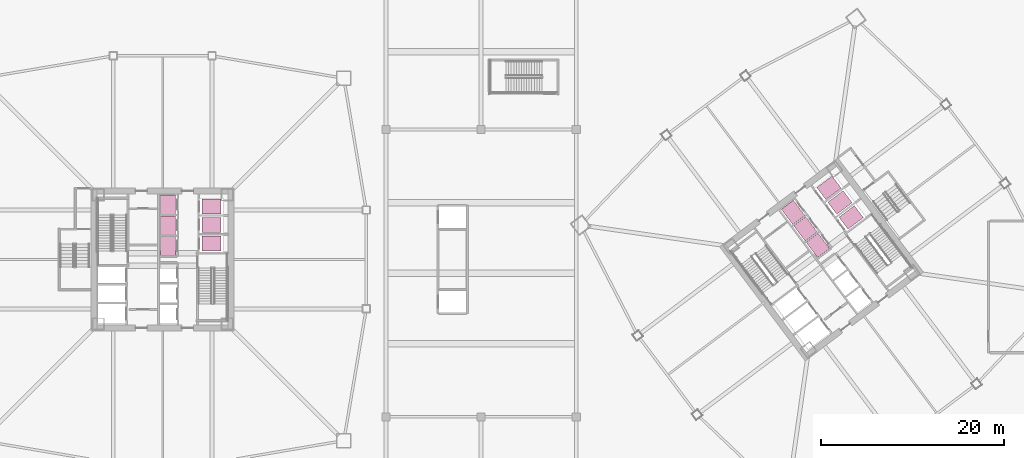
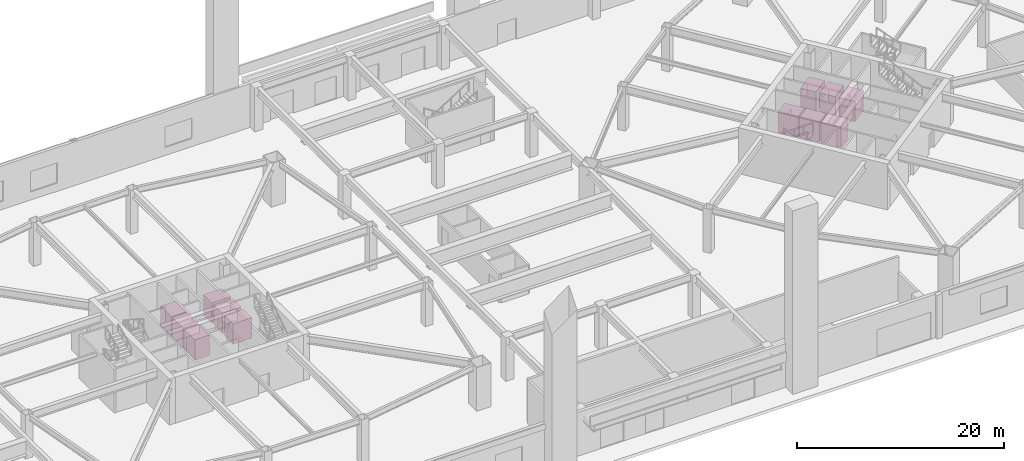
# One storey, part 26 of 26: 12 transport elements.
"""IFC4 building model written with IfcOpenShell, lengths in metres."""

from ifc_helpers import new_model, si_unit, direction, frame, origin, origin_2d, place, context, subcontext, project, spatial, rectangle, extrude, material, type_object, element, save


model = new_model("IFC4")

# Units and contexts
model_context = context("Model", 3, precision=1e-05, world=origin(), true_north=direction((0.0, 1.0)))
body_context = subcontext(model_context, "Body", "Model", "MODEL_VIEW")
ifc_project = project(units=[si_unit("LENGTHUNIT", "METRE"), si_unit("AREAUNIT", "SQUARE_METRE"), si_unit("VOLUMEUNIT", "CUBIC_METRE"), si_unit("PLANEANGLEUNIT", "RADIAN"), si_unit("MASSUNIT", "GRAM", prefix="KILO")], contexts=[model_context])

# Site, building, storey
site_placement = place(None, origin())
site = spatial("IfcSite", under=ifc_project, at=site_placement, CompositionType="ELEMENT")
building_placement = place(site_placement, origin())
building = spatial("IfcBuilding", under=site, at=building_placement, Name="Tashvorn Skyway Center", CompositionType="ELEMENT")
storey_placement = place(building_placement, origin())
storey = spatial("IfcBuildingStorey", under=building, at=storey_placement, Name="L00", CompositionType="ELEMENT", Elevation=0.0)

# Transport elements
ifc_material_1 = material(Name="Architectural bronze passenger cab")
transport_element_type_1 = type_object("IfcTransportElementType", Name="LIFT-PAX-1600", PredefinedType="ELEVATOR", material=ifc_material_1)
for number, where, z_axis, x_axis, name in (
    (1, (42.60009765625, 33.47509765625, 0.0), (0.0, 0.0, 1.0), (1.0, 0.0, 0.0), "Elevator Car MR-T1-1"),
    (2, (42.60009765625, 35.72509765625, 0.0), (0.0, 0.0, 1.0), (1.0, 0.0, 0.0), "Elevator Car MR-T1-2"),
    (3, (42.60009765625, 37.97509765625, 0.0), (0.0, 0.0, 1.0), (1.0, 0.0, 0.0), "Elevator Car MR-T1-3"),
    (4, (113.594970703125, 33.5400390625, 0.0), (0.0, 0.0, 1.0), (0.799999996291, 0.600000004945, 0.0), "Elevator Car MR-T2-1"),
    (5, (112.2451171875, 35.340087890625, 0.0), (0.0, 0.0, 1.0), (0.799999996291, 0.600000004945, 0.0), "Elevator Car MR-T2-2"),
    (6, (110.89501953125, 37.139892578125, 0.0), (0.0, 0.0, 1.0), (0.799999996291, 0.600000004945, 0.0), "Elevator Car MR-T2-3"),
):
    element("IfcTransportElement", number, at=place(storey_placement, frame(where, z_axis=z_axis, x_axis=x_axis)), inside=storey, type_object=transport_element_type_1, Name=name, PredefinedType="ELEVATOR", context=body_context, shape_type="SweptSolid", body=[
        extrude(rectangle(XDim=1.64990234375, YDim=2.10009765625, at=origin_2d()), origin(), (0.0, 0.0, 1.0), 2.39990234375),
    ])
ifc_material_2 = material(Name="High-speed double-frame passenger cab")
transport_element_type_2 = type_object("IfcTransportElementType", Name="LIFT-PAX-1800", PredefinedType="ELEVATOR", material=ifc_material_2)
for number, where, z_axis, x_axis, name in (
    (7, (47.35009765625, 33.72509765625, 0.0), (0.0, 0.0, 1.0), (1.0, 0.0, 0.0), "Elevator Car HR-T1-1"),
    (8, (47.35009765625, 35.77490234375, 0.0), (0.0, 0.0, 1.0), (1.0, 0.0, 0.0), "Elevator Car HR-T1-2"),
    (9, (47.35009765625, 37.77490234375, 0.0), (0.0, 0.0, 1.0), (1.0, 0.0, 0.0), "Elevator Car HR-T1-3"),
    (10, (117.2451171875, 36.590087890625, 0.0), (0.0, 0.0, 1.0), (0.799999996291, 0.600000004945, 0.0), "Elevator Car HR-T2-1"),
    (11, (116.014892578125, 38.22998046875, 0.0), (0.0, 0.0, 1.0), (0.799999996291, 0.600000004945, 0.0), "Elevator Car HR-T2-2"),
    (12, (114.81494140625, 39.830078125, 0.0), (0.0, 0.0, 1.0), (0.799999996291, 0.600000004945, 0.0), "Elevator Car HR-T2-3"),
):
    element("IfcTransportElement", number, at=place(storey_placement, frame(where, z_axis=z_axis, x_axis=x_axis)), inside=storey, type_object=transport_element_type_2, Name=name, PredefinedType="ELEVATOR", context=body_context, shape_type="SweptSolid", body=[
        extrude(rectangle(XDim=2.10009765625, YDim=1.64990234375, at=origin_2d()), origin(), (0.0, 0.0, 1.0), 2.39990234375),
    ])

save(model, "model.ifc")
